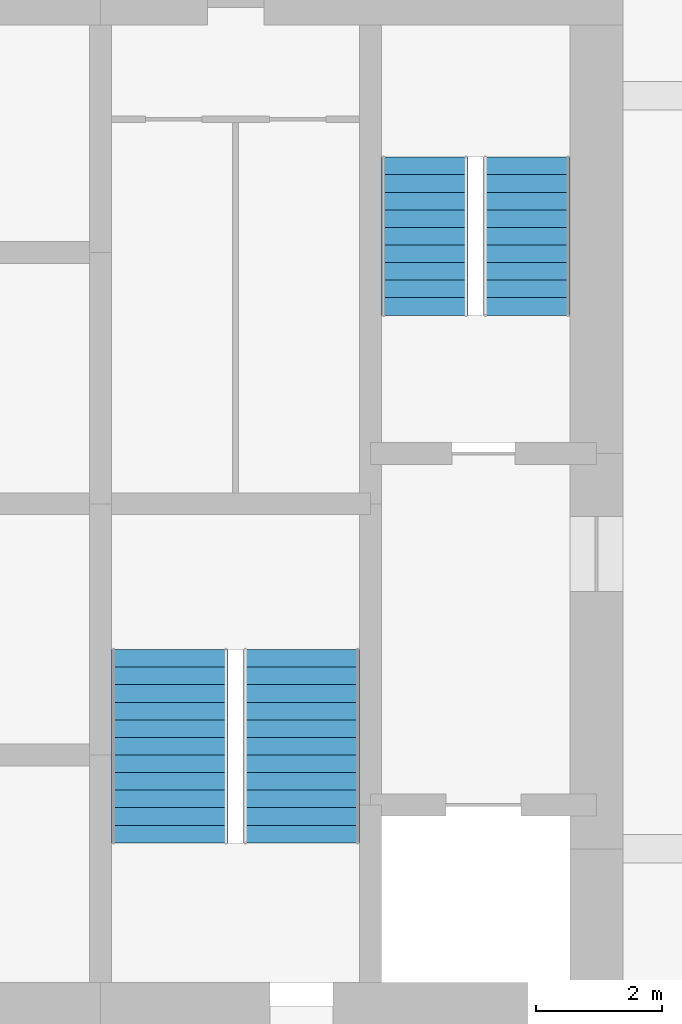
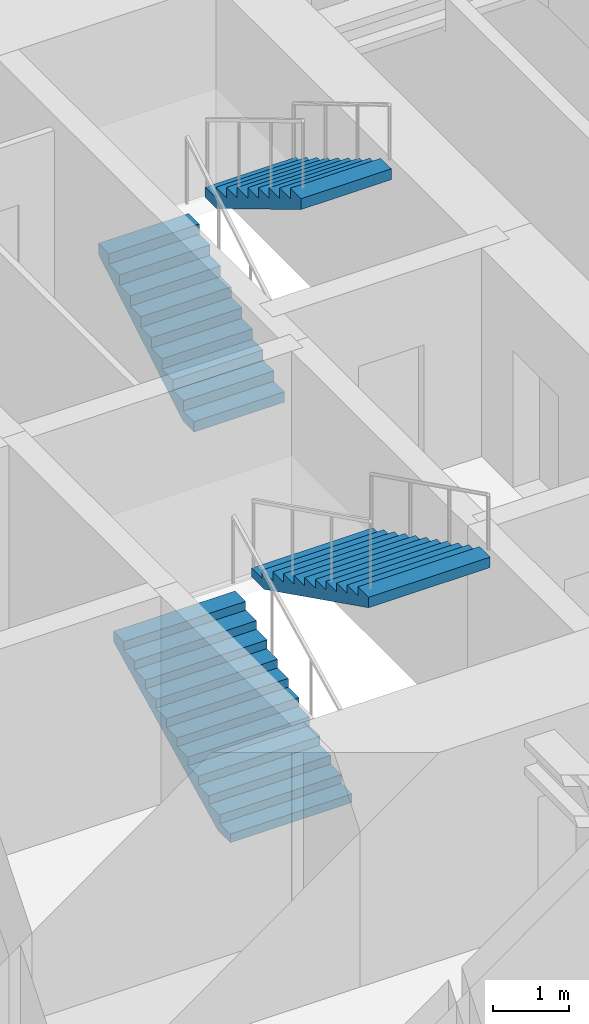
# One storey, part 24 of 25: 4 stair flights, 2 elements without a shape of their own.
"""IFC4 building model written with IfcOpenShell, lengths in metres."""

from ifc_helpers import new_model, si_unit, direction, frame, origin, place, context, subcontext, project, spatial, polyline, outline, extrude, material, type_object, element, aggregate, save


model = new_model("IFC4")

# Units and contexts
model_context = context("Model", 3, precision=1e-05, world=origin(), true_north=direction((0.0, 1.0)))
body_context = subcontext(model_context, "Body", "Model", "MODEL_VIEW")
ifc_project = project(units=[si_unit("LENGTHUNIT", "METRE"), si_unit("AREAUNIT", "SQUARE_METRE"), si_unit("VOLUMEUNIT", "CUBIC_METRE"), si_unit("PLANEANGLEUNIT", "RADIAN"), si_unit("MASSUNIT", "GRAM", prefix="KILO")], contexts=[model_context])

# Site, building, storey
site_placement = place(None, origin())
site = spatial("IfcSite", under=ifc_project, at=site_placement, CompositionType="ELEMENT")
building_placement = place(site_placement, origin())
building = spatial("IfcBuilding", under=site, at=building_placement, Name="Jalousie Tower", CompositionType="ELEMENT")
storey_placement = place(building_placement, frame((0.0, 0.0, 94.800048828125)))
storey = spatial("IfcBuildingStorey", under=building, at=storey_placement, Name="L25", CompositionType="ELEMENT", Elevation=94.800048828125)

# Stair, stair flights
ifc_material_1 = material(Name="Concrete f'c 40 MPa", Category="concrete")
stair_type = type_object("IfcStairType", Name="EXIT STAIR", PredefinedType="HALF_TURN_STAIR", material=ifc_material_1)
stair_1_placement = place(storey_placement, origin())
stair_1 = element("IfcStair", 1, at=stair_1_placement, inside=storey, type_object=stair_type, Name="Exit stair B L25", PredefinedType="HALF_TURN_STAIR")
ifc_material_2 = material(Name="Concrete f'c 40 MPa", Category="concrete")
stair_flight_type = type_object("IfcStairFlightType", Name="STAIR FLIGHT", PredefinedType="STRAIGHT", material=ifc_material_2)
stair_flight_1_placement = place(storey_placement, frame((41.0625, 21.50244140625, 0.0), z_axis=(0.0, 0.0, 1.0), x_axis=(0.0, 1.0, 0.0)))
stair_flight_1 = element("IfcStairFlight", 2, at=stair_flight_1_placement, type_object=stair_flight_type, Name="ST-B flight 1", NumberOfRisers=10, NumberOfTreads=9, PredefinedType="STRAIGHT", RiserHeight=0.1675, TreadLength=0.28, context=body_context, shape_type="SweptSolid", body=[
    extrude(outline(polyline([(0.0, 0.0), (0.0, 0.16748046875), (0.280029296875, 0.16748046875), (0.280029296875, 0.3349609375), (0.56005859375, 0.3349609375), (0.56005859375, 0.50244140625), (0.840087890625, 0.50244140625), (0.840087890625, 0.669921875), (1.1201171875, 0.669921875), (1.1201171875, 0.83740234375), (1.39990234375, 0.83740234375), (1.39990234375, 1.0048828125), (1.679931640625, 1.0048828125), (1.679931640625, 1.172607421875), (1.9599609375, 1.172607421875), (1.9599609375, 1.340087890625), (2.239990234375, 1.340087890625), (2.239990234375, 1.507568359375), (2.52001953125, 1.507568359375), (2.52001953125, 1.675048828125), (2.52001953125, 1.332763671875), (0.2919921875, 0.0), (0.0, 0.0)])), frame((0.0, 0.6875, 0.0), z_axis=(0.0, -1.0, 0.0), x_axis=(1.0, 0.0, 0.0)), (0.0, 0.0, 1.0), 1.375),
])
stair_flight_2_placement = place(storey_placement, frame((42.6875, 24.0224609375, 1.675048828125), z_axis=(0.0, 0.0, 1.0), x_axis=(0.0, -1.0, 0.0)))
stair_flight_2 = element("IfcStairFlight", 3, at=stair_flight_2_placement, type_object=stair_flight_type, Name="ST-B flight 2", NumberOfRisers=10, NumberOfTreads=9, PredefinedType="STRAIGHT", RiserHeight=0.1675, TreadLength=0.28, context=body_context, shape_type="SweptSolid", body=[
    extrude(outline(polyline([(0.0, 0.0), (0.0, 0.16748046875), (0.280029296875, 0.16748046875), (0.280029296875, 0.3349609375), (0.56005859375, 0.3349609375), (0.56005859375, 0.50244140625), (0.840087890625, 0.50244140625), (0.840087890625, 0.669921875), (1.1201171875, 0.669921875), (1.1201171875, 0.83740234375), (1.39990234375, 0.83740234375), (1.39990234375, 1.0048828125), (1.679931640625, 1.0048828125), (1.679931640625, 1.172607421875), (1.9599609375, 1.172607421875), (1.9599609375, 1.340087890625), (2.239990234375, 1.340087890625), (2.239990234375, 1.507568359375), (2.52001953125, 1.507568359375), (2.52001953125, 1.675048828125), (2.52001953125, 1.332763671875), (0.2919921875, 0.0), (0.0, 0.0)])), frame((0.0, 0.6875, 0.0), z_axis=(0.0, -1.0, 0.0), x_axis=(1.0, 0.0, 0.0)), (0.0, 0.0, 1.0), 1.375),
])
aggregate(stair_1, [stair_flight_1, stair_flight_2])

stair_2_placement = place(storey_placement, origin())
stair_2 = element("IfcStair", 4, at=stair_2_placement, inside=storey, type_object=stair_type, Name="Exit stair C L25", PredefinedType="HALF_TURN_STAIR")
stair_flight_3_placement = place(storey_placement, frame((37.0, 13.097412109375, 0.0), z_axis=(0.0, 0.0, 1.0), x_axis=(0.0, 1.0, 0.0)))
stair_flight_3 = element("IfcStairFlight", 5, at=stair_flight_3_placement, type_object=stair_flight_type, Name="ST-C flight 1", NumberOfRisers=12, NumberOfTreads=11, PredefinedType="STRAIGHT", RiserHeight=0.139583333, TreadLength=0.28, context=body_context, shape_type="SweptSolid", body=[
    extrude(outline(polyline([(0.0, 0.0), (0.0, 0.1396484375), (0.280029296875, 0.1396484375), (0.280029296875, 0.279052734375), (0.56005859375, 0.279052734375), (0.56005859375, 0.418701171875), (0.840087890625, 0.418701171875), (0.840087890625, 0.558349609375), (1.1201171875, 0.558349609375), (1.1201171875, 0.697998046875), (1.39990234375, 0.697998046875), (1.39990234375, 0.83740234375), (1.679931640625, 0.83740234375), (1.679931640625, 0.97705078125), (1.9599609375, 0.97705078125), (1.9599609375, 1.11669921875), (2.239990234375, 1.11669921875), (2.239990234375, 1.25634765625), (2.52001953125, 1.25634765625), (2.52001953125, 1.395751953125), (2.800048828125, 1.395751953125), (2.800048828125, 1.535400390625), (3.080078125, 1.535400390625), (3.080078125, 1.675048828125), (3.080078125, 1.367919921875), (0.3359375, 0.0), (0.0, 0.0)])), frame((0.0, 0.925048828125, 0.0), z_axis=(0.0, -1.0, 0.0), x_axis=(1.0, 0.0, 0.0)), (0.0, 0.0, 1.0), 1.85009765625),
])
stair_flight_4_placement = place(storey_placement, frame((39.10009765625, 16.177490234375, 1.675048828125), z_axis=(0.0, 0.0, 1.0), x_axis=(0.0, -1.0, 0.0)))
stair_flight_4 = element("IfcStairFlight", 6, at=stair_flight_4_placement, type_object=stair_flight_type, Name="ST-C flight 2", NumberOfRisers=12, NumberOfTreads=11, PredefinedType="STRAIGHT", RiserHeight=0.139583333, TreadLength=0.28, context=body_context, shape_type="SweptSolid", body=[
    extrude(outline(polyline([(0.0, 0.0), (0.0, 0.1396484375), (0.280029296875, 0.1396484375), (0.280029296875, 0.279052734375), (0.56005859375, 0.279052734375), (0.56005859375, 0.418701171875), (0.840087890625, 0.418701171875), (0.840087890625, 0.558349609375), (1.1201171875, 0.558349609375), (1.1201171875, 0.697998046875), (1.39990234375, 0.697998046875), (1.39990234375, 0.83740234375), (1.679931640625, 0.83740234375), (1.679931640625, 0.97705078125), (1.9599609375, 0.97705078125), (1.9599609375, 1.11669921875), (2.239990234375, 1.11669921875), (2.239990234375, 1.25634765625), (2.52001953125, 1.25634765625), (2.52001953125, 1.395751953125), (2.800048828125, 1.395751953125), (2.800048828125, 1.535400390625), (3.080078125, 1.535400390625), (3.080078125, 1.675048828125), (3.080078125, 1.367919921875), (0.3359375, 0.0), (0.0, 0.0)])), frame((0.0, 0.925048828125, 0.0), z_axis=(0.0, -1.0, 0.0), x_axis=(1.0, 0.0, 0.0)), (0.0, 0.0, 1.0), 1.85009765625),
])
aggregate(stair_2, [stair_flight_3, stair_flight_4])

save(model, "model.ifc")
